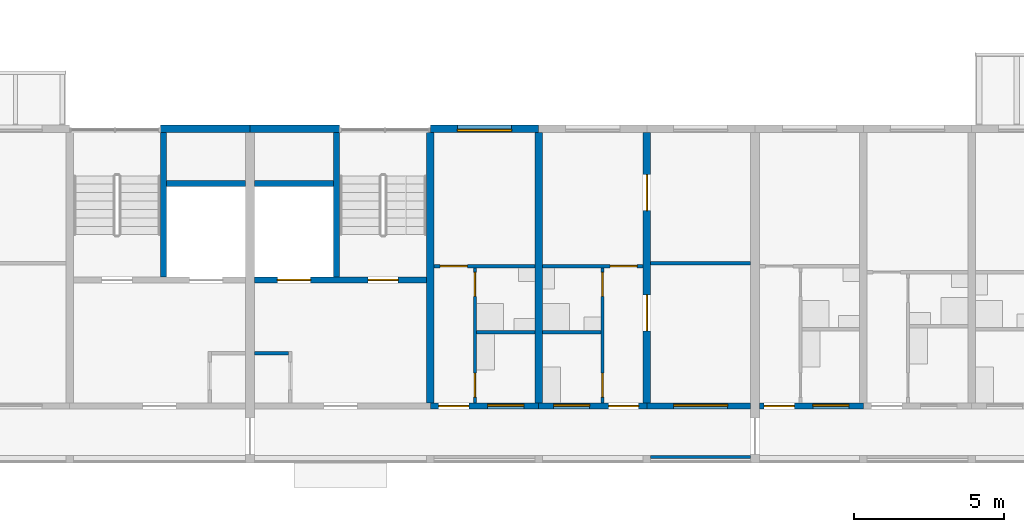
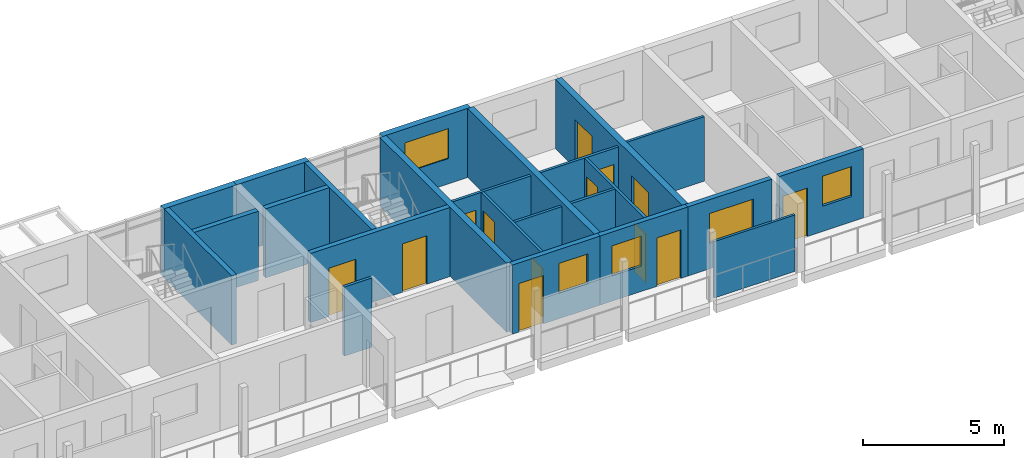
# One storey, part 48 of 100: 24 walls, 13 doors, 5 windows, 18 openings.
"""IFC4 building model written with IfcOpenShell, lengths in metres."""

import ifcopenshell
import ifcopenshell.guid

model = None  # the IFC model being written
_history = None  # IfcOwnerHistory: only IFC2X3 demands one
_inside = {}  # id of a spatial element -> (the spatial element, [elements in it])
_under = {}  # id of a project, library or spatial element -> (it, [spatial elements below it])
_declared = {}  # id of a project -> (the project, [libraries it declares])
_typed = {}  # id of a type object -> (the type object, [elements of that type])
_made_of = {}  # id of a material, layer set ... -> (it, [elements and type objects made of it])


def new_model(schema):
    """Start an empty IFC model of exactly this schema.

    Asked for "IFC4X3", IfcOpenShell would pick the latest addendum, in which some entities
    have other attributes; the version numbers below select the first issue.
    IFC2X3 requires an IfcOwnerHistory on every rooted entity: one is made here for all.
    """
    global model, _history
    if schema == "IFC4X3":
        model = ifcopenshell.file(schema_version=(4, 3, 0, 0))
    else:
        model = ifcopenshell.file(schema=schema)
    _inside.clear()
    _under.clear()
    _declared.clear()
    _typed.clear()
    _made_of.clear()
    _history = None
    if model.schema == "IFC2X3":
        org = make("IfcOrganization", Name="unknown")
        user = make(
            "IfcPersonAndOrganization",
            ThePerson=make("IfcPerson", FamilyName="unknown"),
            TheOrganization=org,
        )
        app = make(
            "IfcApplication",
            ApplicationDeveloper=org,
            Version="unknown",
            ApplicationFullName="unknown",
            ApplicationIdentifier="unknown",
        )
        _history = make(
            "IfcOwnerHistory",
            OwningUser=user,
            OwningApplication=app,
            ChangeAction="ADDED",
            CreationDate=0,
        )
    return model


def make(cls, **values):
    """One entity of the class cls with the attributes given. An attribute that is None is left unset."""
    return model.create_entity(
        cls, **{name: value for name, value in values.items() if value is not None}
    )


def rooted(cls, **values):
    """An entity with a GlobalId (a new one), such as an element, a storey or a relation."""
    return make(cls, GlobalId=ifcopenshell.guid.new(), OwnerHistory=_history, **values)


def si_unit(unit_type, name, prefix=None):
    """IfcSIUnit, for example si_unit("LENGTHUNIT", "METRE", prefix="MILLI")."""
    return make("IfcSIUnit", UnitType=unit_type, Prefix=prefix, Name=name)


def assignment(units):
    """IfcUnitAssignment: the units of a project."""
    return None if units is None else make("IfcUnitAssignment", Units=units)


def point(xyz):
    """IfcCartesianPoint."""
    return None if xyz is None else make("IfcCartesianPoint", Coordinates=xyz)


def direction(xyz):
    """IfcDirection."""
    return None if xyz is None else make("IfcDirection", DirectionRatios=xyz)


def frame(location, z_axis=None, x_axis=None):
    """IfcAxis2Placement3D, a coordinate frame: its origin and axes. An axis left out is left unset."""
    return make(
        "IfcAxis2Placement3D",
        Location=point(location),
        Axis=direction(z_axis),
        RefDirection=direction(x_axis),
    )


def frame_2d(location, x_axis=None):
    """IfcAxis2Placement2D, a coordinate frame in the plane: its origin and x axis."""
    return make(
        "IfcAxis2Placement2D", Location=point(location), RefDirection=direction(x_axis)
    )


def origin():
    """The frame at (0, 0, 0) with its axes left unset."""
    return frame((0.0, 0.0, 0.0))


def place(relative_to, where):
    """IfcLocalPlacement: puts the frame where relative to a parent placement (None: the world)."""
    return make(
        "IfcLocalPlacement", PlacementRelTo=relative_to, RelativePlacement=where
    )


def context(
    kind, dimensions, precision=None, world=None, true_north=None, identifier=None
):
    """IfcGeometricRepresentationContext, for example the 3D "Model" context."""
    return make(
        "IfcGeometricRepresentationContext",
        ContextIdentifier=identifier,
        ContextType=kind,
        CoordinateSpaceDimension=dimensions,
        Precision=precision,
        WorldCoordinateSystem=world,
        TrueNorth=true_north,
    )


def subcontext(parent, identifier, kind, view, scale=None):
    """IfcGeometricRepresentationSubContext, for example "Body" below "Model"."""
    return make(
        "IfcGeometricRepresentationSubContext",
        ContextIdentifier=identifier,
        ContextType=kind,
        ParentContext=parent,
        TargetScale=scale,
        TargetView=view,
    )


def project(units=None, contexts=None):
    """IfcProject with its units and contexts."""
    return rooted(
        "IfcProject",
        Name="project",
        RepresentationContexts=contexts,
        UnitsInContext=assignment(units),
    )


def spatial(cls, under=None, at=None, **own):
    """A site, building, storey or space (cls), placed at a placement, below another one or the project."""
    s = rooted(cls, ObjectPlacement=at, **own)
    if under is not None:
        _under.setdefault(under.id(), (under, []))[1].append(s)
    return s


def profile(cls, at=None, kind="AREA", **sizes):
    """A parametric profile (cls). Its sizes go by their IFC names, for example OverallWidth=200.0."""
    return make(cls, ProfileType=kind, Position=at, **sizes)


def rectangle(**sizes):
    """IfcRectangleProfileDef."""
    return profile("IfcRectangleProfileDef", **sizes)


def extrude(swept, where, along, depth):
    """IfcExtrudedAreaSolid: the profile swept, set in the frame where, extruded along a direction by depth."""
    return make(
        "IfcExtrudedAreaSolid",
        SweptArea=swept,
        Position=where,
        ExtrudedDirection=direction(along),
        Depth=depth,
    )


def shape(context_of_items, identifier, shape_type, items):
    """IfcShapeRepresentation: the items that make up one representation, for example the "Body"."""
    return make(
        "IfcShapeRepresentation",
        ContextOfItems=context_of_items,
        RepresentationIdentifier=identifier,
        RepresentationType=shape_type,
        Items=items,
    )


def material(Name=None, Category=None):
    """IfcMaterial."""
    return make("IfcMaterial", Name=Name, Category=Category)


def layer(
    of_material, thickness, ventilated=None, Name=None, Category=None, Priority=None
):
    """IfcMaterialLayer: one layer of a wall or slab, of a material (None: an air gap)."""
    return make(
        "IfcMaterialLayer",
        Material=of_material,
        LayerThickness=thickness,
        IsVentilated=ventilated,
        Name=Name,
        Category=Category,
        Priority=Priority,
    )


def layer_set(layers, Name=None):
    """IfcMaterialLayerSet."""
    return make("IfcMaterialLayerSet", MaterialLayers=layers, LayerSetName=Name)


def made_of(thing, what):
    """Note that an element or type object is made of a material, layer set ...; save() writes the relation."""
    if what is not None:
        _made_of.setdefault(what.id(), (what, []))[1].append(thing)
    return thing


def type_object(cls, material=None, **own):
    """A type object (cls), such as IfcWallType, which elements share."""
    return made_of(rooted(cls, **own), material)


def element(
    cls,
    number,
    at=None,
    inside=None,
    cuts=None,
    type_object=None,
    material=None,
    context=None,
    identifier="Body",
    shape_type=None,
    held_by="IfcProductDefinitionShape",
    body=None,
    shapes=None,
    **own,
):
    """One element of the class cls, such as IfcWall. Its Tag is "e" and its number.

    at: its placement. inside: the storey or other place that contains it. cuts: it is an
    opening in that element (IfcRelVoidsElement). A single representation is given by context,
    identifier, shape_type and body (its items); several are given by shapes. held_by: the class
    of the entity that holds the representations. save() writes the other relations.
    """
    e = rooted(cls, Tag="e%d" % number, ObjectPlacement=at, **own)
    if body is not None:
        shapes = [shape(context, identifier, shape_type, body)]
    if shapes is not None:
        e.Representation = make(held_by, Representations=shapes)
    if inside is not None:
        _inside.setdefault(inside.id(), (inside, []))[1].append(e)
    if cuts is not None:
        rooted(
            "IfcRelVoidsElement", RelatingBuildingElement=cuts, RelatedOpeningElement=e
        )
    if type_object is not None:
        _typed.setdefault(type_object.id(), (type_object, []))[1].append(e)
    return made_of(e, material)


def fill(opening, filler):
    """IfcRelFillsElement: the door or window that sits in an opening."""
    return rooted(
        "IfcRelFillsElement",
        RelatingOpeningElement=opening,
        RelatedBuildingElement=filler,
    )


def aggregate(whole, parts):
    """IfcRelAggregates: a whole, such as a stair, and the parts it consists of."""
    return rooted("IfcRelAggregates", RelatingObject=whole, RelatedObjects=parts)


def save(model, path):
    """Write the relations noted so far, then the file.

    IfcRelAggregates (storeys below a building ...), IfcRelContainedInSpatialStructure (elements
    in a storey), IfcRelDefinesByType, IfcRelAssociatesMaterial and IfcRelDeclares: one each for
    every whole, place, type object, material and project.
    """
    for whole, parts in _under.values():
        aggregate(whole, parts)
    for where, things in _inside.values():
        rooted(
            "IfcRelContainedInSpatialStructure",
            RelatedElements=things,
            RelatingStructure=where,
        )
    for kind, things in _typed.values():
        rooted("IfcRelDefinesByType", RelatedObjects=things, RelatingType=kind)
    for what, things in _made_of.values():
        rooted("IfcRelAssociatesMaterial", RelatedObjects=things, RelatingMaterial=what)
    for by, libraries in _declared.values():
        rooted("IfcRelDeclares", RelatingContext=by, RelatedDefinitions=libraries)
    model.write(path)


model = new_model("IFC4")

# Units and contexts
model_context = context("Model", 3, precision=1e-05, world=origin(), true_north=direction((0.0, 1.0)))
body_context = subcontext(model_context, "Body", "Model", "MODEL_VIEW")
ifc_project = project(units=[si_unit("LENGTHUNIT", "METRE"), si_unit("AREAUNIT", "SQUARE_METRE"), si_unit("VOLUMEUNIT", "CUBIC_METRE"), si_unit("PLANEANGLEUNIT", "RADIAN"), si_unit("MASSUNIT", "GRAM", prefix="KILO")], contexts=[model_context])

# Site, building, storey
site_placement = place(None, origin())
site = spatial("IfcSite", under=ifc_project, at=site_placement, CompositionType="ELEMENT")
building_placement = place(site_placement, origin())
building = spatial("IfcBuilding", under=site, at=building_placement, Name="Ridgestep Commons", CompositionType="ELEMENT")
storey_placement = place(building_placement, frame((0.0, 0.0, 9.0)))
storey = spatial("IfcBuildingStorey", under=building, at=storey_placement, Name="L03", CompositionType="ELEMENT", Elevation=9.0)

# Walls
ifc_material_1 = material(Name="Concrete C30/37", Category="concrete")
ifc_layer_1 = layer(ifc_material_1, 0.25)
ifc_layer_set_1 = layer_set([ifc_layer_1], Name="Core cross wall 250")
wall_type_1 = type_object("IfcWallType", Name="Core cross wall 250", PredefinedType="SHEAR", material=ifc_layer_set_1)
wall_1_placement = place(storey_placement, frame((169.60009765625, 13.75, 0.0), z_axis=(0.0, 0.0, 1.0), x_axis=(0.0, 1.0, 0.0)))
element("IfcWall", 1, at=wall_1_placement, inside=storey, type_object=wall_type_1, Name="Cross wall D-03-1696", PredefinedType="SHEAR", context=body_context, shape_type="SweptSolid", body=[
    extrude(rectangle(XDim=9.0, YDim=0.25, at=frame_2d((4.5, 0.0))), origin(), (0.0, 0.0, 1.0), 3.0),
])
ifc_material_2 = material(Name="Concrete C30/37", Category="concrete")
ifc_layer_2 = layer(ifc_material_2, 0.1201171875)
ifc_layer_set_2 = layer_set([ifc_layer_2], Name="Core wall 120")
wall_type_2 = type_object("IfcWallType", Name="Core wall 120", PredefinedType="SHEAR", material=ifc_layer_set_2)
wall_2_placement = place(storey_placement, frame((163.75, 15.409912109375, 0.0), z_axis=(0.0, 0.0, 1.0), x_axis=(1.0, 0.0, 0.0)))
element("IfcWall", 2, at=wall_2_placement, inside=storey, type_object=wall_type_2, Name="Core riser n wall D2C L03", PredefinedType="SHEAR", context=body_context, shape_type="SweptSolid", body=[
    extrude(rectangle(XDim=1.1298828125, YDim=0.1201171875, at=frame_2d((0.56494140625, 0.0))), origin(), (0.0, 0.0, 1.0), 3.0),
])
ifc_material_3 = material(Name="Concrete C30/37", Category="concrete")
ifc_layer_3 = layer(ifc_material_3, 0.199951171875)
ifc_layer_set_3 = layer_set([ifc_layer_3], Name="Core wall 200")
wall_type_3 = type_object("IfcWallType", Name="Core wall 200", PredefinedType="SHEAR", material=ifc_layer_set_3)
wall_3_placement = place(storey_placement, frame((160.72509765625, 17.949951171875, 0.0), z_axis=(0.0, 0.0, 1.0), x_axis=(0.0, 1.0, 0.0)))
element("IfcWall", 3, at=wall_3_placement, inside=storey, type_object=wall_type_3, Name="Core stair wall D1C L03", PredefinedType="SHEAR", context=body_context, shape_type="SweptSolid", body=[
    extrude(rectangle(XDim=4.800048828125, YDim=0.199951171875, at=frame_2d((2.39990234375, 0.0))), origin(), (0.0, 0.0, 1.0), 3.0),
])
wall_4_placement = place(storey_placement, frame((160.824951171875, 21.050048828125, 0.0), z_axis=(0.0, 0.0, 1.0), x_axis=(1.0, 0.0, 0.0)))
element("IfcWall", 4, at=wall_4_placement, inside=storey, type_object=wall_type_3, Name="Core duct wall D1C L03", PredefinedType="SHEAR", context=body_context, shape_type="SweptSolid", body=[
    extrude(rectangle(XDim=2.625, YDim=0.199951171875, at=frame_2d((1.3125, 0.0))), origin(), (0.0, 0.0, 1.0), 3.0),
])

# Wall, openings, doors
wall_5_placement = place(storey_placement, frame((163.75, 17.85009765625, 0.0), z_axis=(0.0, 0.0, 1.0), x_axis=(1.0, 0.0, 0.0)))
wall_5 = element("IfcWall", 5, at=wall_5_placement, inside=storey, type_object=wall_type_3, Name="Core lobby wall D2C L03", PredefinedType="SHEAR", context=body_context, shape_type="SweptSolid", body=[
    extrude(rectangle(XDim=5.72509765625, YDim=0.199951171875, at=frame_2d((2.862548828125, 0.0))), origin(), (0.0, 0.0, 1.0), 3.0),
])
opening_1_placement = place(wall_5_placement, frame((3.77490234375, 0.0, 0.0)))
opening_1 = element("IfcOpeningElement", 6, at=opening_1_placement, cuts=wall_5, Name="Opening D2C/03/2", PredefinedType="OPENING", context=body_context, shape_type="SweptSolid", body=[
    extrude(rectangle(XDim=1.0, YDim=2.10009765625, at=frame_2d((0.5, 1.050048828125))), frame((0.0, 0.10986328125, 0.0), z_axis=(0.0, -1.0, 0.0), x_axis=(1.0, 0.0, 0.0)), (0.0, 0.0, 1.0), 0.219970703125),
])
opening_2_placement = place(wall_5_placement, frame((0.762451171875, 0.0, 0.0)))
opening_2 = element("IfcOpeningElement", 7, at=opening_2_placement, cuts=wall_5, Name="Opening D2C/03/3", PredefinedType="OPENING", context=body_context, shape_type="SweptSolid", body=[
    extrude(rectangle(XDim=1.10009765625, YDim=2.10009765625, at=frame_2d((0.550048828125, 1.050048828125))), frame((0.0, 0.10986328125, 0.0), z_axis=(0.0, -1.0, 0.0), x_axis=(1.0, 0.0, 0.0)), (0.0, 0.0, 1.0), 0.219970703125),
])
ifc_material_4 = material(Name="Stainless steel", Category="steel")
door_type_1 = type_object("IfcDoorType", Name="Lift landing door 1100 x 2100 FD60", OperationType="DOUBLE_DOOR_SLIDING", PredefinedType="DOOR", material=ifc_material_4)
door_1_placement = place(opening_2_placement, origin())
door_1 = element("IfcDoor", 8, at=door_1_placement, inside=storey, type_object=door_type_1, Name="Landing door LD D2C L03", OperationType="DOUBLE_DOOR_SLIDING", OverallHeight=2.10009765625, OverallWidth=1.10009765625, PredefinedType="DOOR", context=body_context, shape_type="SweptSolid", body=[
    extrude(rectangle(XDim=1.10009765625, YDim=2.10009765625, at=frame_2d((0.550048828125, 1.050048828125))), frame((0.0, 0.02490234375, 0.0), z_axis=(0.0, -1.0, 0.0), x_axis=(1.0, 0.0, 0.0)), (0.0, 0.0, 1.0), 0.050048828125),
])
fill(opening_2, door_1)
ifc_material_5 = material(Name="Steel fire door", Category="steel")
door_type_2 = type_object("IfcDoorType", Name="Stair door 1000 x 2100 FD60", OperationType="NOTDEFINED", PredefinedType="DOOR", material=ifc_material_5)
door_2_placement = place(opening_1_placement, origin())
door_2 = element("IfcDoor", 9, at=door_2_placement, inside=storey, type_object=door_type_2, Name="Stair door D2C/03/2", OperationType="SINGLE_SWING_RIGHT", OverallHeight=2.10009765625, OverallWidth=1.0, PredefinedType="DOOR", context=body_context, shape_type="SweptSolid", body=[
    extrude(rectangle(XDim=1.0, YDim=2.10009765625, at=frame_2d((0.5, 1.050048828125))), frame((0.0, 0.02490234375, 0.0), z_axis=(0.0, -1.0, 0.0), x_axis=(1.0, 0.0, 0.0)), (0.0, 0.0, 1.0), 0.050048828125),
])
fill(opening_1, door_2)

# Walls
wall_6_placement = place(storey_placement, frame((166.47509765625, 17.949951171875, 0.0), z_axis=(0.0, 0.0, 1.0), x_axis=(0.0, 1.0, 0.0)))
element("IfcWall", 10, at=wall_6_placement, inside=storey, type_object=wall_type_3, Name="Core stair wall D2C L03", PredefinedType="SHEAR", context=body_context, shape_type="SweptSolid", body=[
    extrude(rectangle(XDim=4.800048828125, YDim=0.199951171875, at=frame_2d((2.39990234375, 0.0))), origin(), (0.0, 0.0, 1.0), 3.0),
])
wall_7_placement = place(storey_placement, frame((163.75, 21.050048828125, 0.0), z_axis=(0.0, 0.0, 1.0), x_axis=(1.0, 0.0, 0.0)))
element("IfcWall", 11, at=wall_7_placement, inside=storey, type_object=wall_type_3, Name="Core duct wall D2C L03", PredefinedType="SHEAR", context=body_context, shape_type="SweptSolid", body=[
    extrude(rectangle(XDim=2.625, YDim=0.199951171875, at=frame_2d((1.3125, 0.0))), origin(), (0.0, 0.0, 1.0), 3.0),
])
ifc_material_6 = material(Name="Precast concrete C40/50", Category="concrete")
ifc_layer_4 = layer(ifc_material_6, 0.25)
ifc_layer_set_4 = layer_set([ifc_layer_4], Name="Cross wall 250")
wall_type_4 = type_object("IfcWallType", Name="Cross wall 250", PredefinedType="SHEAR", material=ifc_layer_set_4)
wall_8_placement = place(storey_placement, frame((173.199951171875, 13.75, 0.0), z_axis=(0.0, 0.0, 1.0), x_axis=(0.0, 1.0, 0.0)))
element("IfcWall", 12, at=wall_8_placement, inside=storey, type_object=wall_type_4, Name="Cross wall D-03-1732", PredefinedType="SHEAR", context=body_context, shape_type="SweptSolid", body=[
    extrude(rectangle(XDim=9.0, YDim=0.25, at=frame_2d((4.5, 0.0))), origin(), (0.0, 0.0, 1.0), 3.0),
])

# Wall, openings, doors
wall_9_placement = place(storey_placement, frame((176.800048828125, 13.75, 0.0), z_axis=(0.0, 0.0, 1.0), x_axis=(0.0, 1.0, 0.0)))
wall_9 = element("IfcWall", 13, at=wall_9_placement, inside=storey, type_object=wall_type_4, Name="Cross wall D-03-1768", PredefinedType="SHEAR", context=body_context, shape_type="SweptSolid", body=[
    extrude(rectangle(XDim=9.0, YDim=0.25, at=frame_2d((4.5, 0.0))), origin(), (0.0, 0.0, 1.0), 3.0),
])
opening_3_placement = place(wall_9_placement, frame((2.39990234375, 0.0, 0.0)))
opening_3 = element("IfcOpeningElement", 14, at=opening_3_placement, cuts=wall_9, Name="Opening D2-03a/5", PredefinedType="OPENING", context=body_context, shape_type="SweptSolid", body=[
    extrude(rectangle(XDim=1.199951171875, YDim=2.10009765625, at=frame_2d((0.60009765625, 1.050048828125))), frame((0.0, 0.135009765625, 0.0), z_axis=(0.0, -1.0, 0.0), x_axis=(1.0, 0.0, 0.0)), (0.0, 0.0, 1.0), 0.27001953125),
])
opening_4_placement = place(wall_9_placement, frame((6.39990234375, 0.0, 0.0)))
opening_4 = element("IfcOpeningElement", 15, at=opening_4_placement, cuts=wall_9, Name="Opening D2-03a/6", PredefinedType="OPENING", context=body_context, shape_type="SweptSolid", body=[
    extrude(rectangle(XDim=1.199951171875, YDim=2.10009765625, at=frame_2d((0.60009765625, 1.050048828125))), frame((0.0, 0.135009765625, 0.0), z_axis=(0.0, -1.0, 0.0), x_axis=(1.0, 0.0, 0.0)), (0.0, 0.0, 1.0), 0.27001953125),
])
ifc_material_7 = material(Name="Timber door leaf", Category="wood")
door_type_3 = type_object("IfcDoorType", Name="Double door 1200 x 2100", OperationType="DOUBLE_DOOR_SINGLE_SWING", PredefinedType="DOOR", material=ifc_material_7)
door_3_placement = place(opening_3_placement, origin())
door_3 = element("IfcDoor", 16, at=door_3_placement, inside=storey, type_object=door_type_3, Name="Double door D2-03a/5", OperationType="DOUBLE_DOOR_SINGLE_SWING", OverallHeight=2.10009765625, OverallWidth=1.199951171875, PredefinedType="DOOR", context=body_context, shape_type="SweptSolid", body=[
    extrude(rectangle(XDim=1.199951171875, YDim=2.10009765625, at=frame_2d((0.60009765625, 1.050048828125))), frame((0.0, 0.02490234375, 0.0), z_axis=(0.0, -1.0, 0.0), x_axis=(1.0, 0.0, 0.0)), (0.0, 0.0, 1.0), 0.050048828125),
])
fill(opening_3, door_3)
door_4_placement = place(opening_4_placement, origin())
door_4 = element("IfcDoor", 17, at=door_4_placement, inside=storey, type_object=door_type_3, Name="Double door D2-03a/6", OperationType="DOUBLE_DOOR_SINGLE_SWING", OverallHeight=2.10009765625, OverallWidth=1.199951171875, PredefinedType="DOOR", context=body_context, shape_type="SweptSolid", body=[
    extrude(rectangle(XDim=1.199951171875, YDim=2.10009765625, at=frame_2d((0.60009765625, 1.050048828125))), frame((0.0, 0.02490234375, 0.0), z_axis=(0.0, -1.0, 0.0), x_axis=(1.0, 0.0, 0.0)), (0.0, 0.0, 1.0), 0.050048828125),
])
fill(opening_4, door_4)

# Walls
ifc_material_8 = material(Name="Precast concrete C40/50", Category="concrete")
ifc_layer_5 = layer(ifc_material_8, 0.25)
ifc_layer_set_5 = layer_set([ifc_layer_5], Name="North facade panel 250")
wall_type_5 = type_object("IfcWallType", Name="North facade panel 250", PredefinedType="SOLIDWALL", material=ifc_layer_set_5)
wall_10_placement = place(storey_placement, frame((160.625, 22.875, 0.0), z_axis=(0.0, 0.0, 1.0), x_axis=(1.0, 0.0, 0.0)))
element("IfcWall", 18, at=wall_10_placement, inside=storey, type_object=wall_type_5, Name="North panel D1C L03", PredefinedType="SOLIDWALL", context=body_context, shape_type="SweptSolid", body=[
    extrude(rectangle(XDim=2.97509765625, YDim=0.25, at=frame_2d((1.487548828125, 0.0))), origin(), (0.0, 0.0, 1.0), 3.0),
])
wall_11_placement = place(storey_placement, frame((163.60009765625, 22.875, 0.0), z_axis=(0.0, 0.0, 1.0), x_axis=(1.0, 0.0, 0.0)))
element("IfcWall", 19, at=wall_11_placement, inside=storey, type_object=wall_type_5, Name="North panel D2C L03", PredefinedType="SOLIDWALL", context=body_context, shape_type="SweptSolid", body=[
    extrude(rectangle(XDim=2.974853515625, YDim=0.25, at=frame_2d((1.4873046875, 0.0))), origin(), (0.0, 0.0, 1.0), 3.0),
])

# Wall, opening, window
wall_12_placement = place(storey_placement, frame((169.60009765625, 22.875, 0.0), z_axis=(0.0, 0.0, 1.0), x_axis=(1.0, 0.0, 0.0)))
wall_12 = element("IfcWall", 20, at=wall_12_placement, inside=storey, type_object=wall_type_5, Name="North panel D2T3 L03", PredefinedType="SOLIDWALL", context=body_context, shape_type="SweptSolid", body=[
    extrude(rectangle(XDim=3.599853515625, YDim=0.25, at=frame_2d((1.7998046875, 0.0))), origin(), (0.0, 0.0, 1.0), 3.0),
])
opening_5_placement = place(wall_12_placement, frame((0.89990234375, 0.0, 1.10009765625)))
opening_5 = element("IfcOpeningElement", 21, at=opening_5_placement, cuts=wall_12, Name="Opening W18", PredefinedType="OPENING", context=body_context, shape_type="SweptSolid", body=[
    extrude(rectangle(XDim=1.800048828125, YDim=1.300048828125, at=frame_2d((0.89990234375, 0.64990234375))), frame((0.0, 0.135009765625, 0.0), z_axis=(0.0, -1.0, 0.0), x_axis=(1.0, 0.0, 0.0)), (0.0, 0.0, 1.0), 0.27001953125),
])
ifc_material_9 = material(Name="Aluminium 6063-T6 and glass", Category="aluminium")
window_type_1 = type_object("IfcWindowType", Name="Flat window 1800 x 1300", PartitioningType="DOUBLE_PANEL_VERTICAL", PredefinedType="WINDOW", material=ifc_material_9)
window_1_placement = place(opening_5_placement, origin())
window_1 = element("IfcWindow", 22, at=window_1_placement, inside=storey, type_object=window_type_1, Name="Window D2-03b 2", OverallHeight=1.300048828125, OverallWidth=1.800048828125, PartitioningType="SINGLE_PANEL", PredefinedType="WINDOW", context=body_context, shape_type="SweptSolid", body=[
    extrude(rectangle(XDim=1.800048828125, YDim=1.300048828125, at=frame_2d((0.89990234375, 0.64990234375))), frame((0.0, -0.02490234375, 0.0), z_axis=(0.0, -1.0, 0.0), x_axis=(1.0, 0.0, 0.0)), (0.0, 0.0, 1.0), 0.06005859375),
])
fill(opening_5, window_1)

# Wall
ifc_material_10 = material(Name="Common brick 110 mm", Category="masonry")
ifc_layer_6 = layer(ifc_material_10, 0.110107421875)
ifc_layer_set_6 = layer_set([ifc_layer_6], Name="Partition 110")
wall_type_6 = type_object("IfcWallType", Name="Partition 110", PredefinedType="PARTITIONING", material=ifc_layer_set_6)
wall_13_placement = place(storey_placement, frame((173.324951171875, 16.10498046875, 0.0), z_axis=(0.0, 0.0, 1.0), x_axis=(1.0, 0.0, 0.0)))
element("IfcWall", 23, at=wall_13_placement, inside=storey, type_object=wall_type_6, Name="Partition D2-03a", PredefinedType="PARTITIONING", context=body_context, shape_type="SweptSolid", body=[
    extrude(rectangle(XDim=1.93994140625, YDim=0.110107421875, at=frame_2d((0.969970703125, 0.0))), origin(), (0.0, 0.0, 1.0), 2.800048828125),
])

# Wall, openings, doors
wall_14_placement = place(storey_placement, frame((175.320068359375, 13.75, 0.0), z_axis=(0.0, 0.0, 1.0), x_axis=(0.0, 1.0, 0.0)))
wall_14 = element("IfcWall", 24, at=wall_14_placement, inside=storey, type_object=wall_type_6, Name="Partition D2-03a", PredefinedType="PARTITIONING", context=body_context, shape_type="SweptSolid", body=[
    extrude(rectangle(XDim=4.5, YDim=0.110107421875, at=frame_2d((2.25, 0.0))), origin(), (0.0, 0.0, 1.0), 2.800048828125),
])
opening_6_placement = place(wall_14_placement, frame((0.199951171875, 0.0, 0.0)))
opening_6 = element("IfcOpeningElement", 25, at=opening_6_placement, cuts=wall_14, Name="Opening D2-03a/2", PredefinedType="OPENING", context=body_context, shape_type="SweptSolid", body=[
    extrude(rectangle(XDim=0.800048828125, YDim=2.10009765625, at=frame_2d((0.39990234375, 1.050048828125))), frame((0.0, 0.06494140625, 0.0), z_axis=(0.0, -1.0, 0.0), x_axis=(1.0, 0.0, 0.0)), (0.0, 0.0, 1.0), 0.130126953125),
])
opening_7_placement = place(wall_14_placement, frame((3.550048828125, 0.0, 0.0)))
opening_7 = element("IfcOpeningElement", 26, at=opening_7_placement, cuts=wall_14, Name="Opening D2-03a/3", PredefinedType="OPENING", context=body_context, shape_type="SweptSolid", body=[
    extrude(rectangle(XDim=0.800048828125, YDim=2.10009765625, at=frame_2d((0.39990234375, 1.050048828125))), frame((0.0, 0.06494140625, 0.0), z_axis=(0.0, -1.0, 0.0), x_axis=(1.0, 0.0, 0.0)), (0.0, 0.0, 1.0), 0.130126953125),
])
ifc_material_11 = material(Name="Timber door leaf", Category="wood")
door_type_4 = type_object("IfcDoorType", Name="Internal door 800 x 2100", OperationType="NOTDEFINED", PredefinedType="DOOR", material=ifc_material_11)
door_5_placement = place(opening_6_placement, origin())
door_5 = element("IfcDoor", 27, at=door_5_placement, inside=storey, type_object=door_type_4, Name="Internal door D2-03a/2", OperationType="SINGLE_SWING_LEFT", OverallHeight=2.10009765625, OverallWidth=0.800048828125, PredefinedType="DOOR", context=body_context, shape_type="SweptSolid", body=[
    extrude(rectangle(XDim=0.800048828125, YDim=2.10009765625, at=frame_2d((0.39990234375, 1.050048828125))), frame((0.0, 0.02490234375, 0.0), z_axis=(0.0, -1.0, 0.0), x_axis=(1.0, 0.0, 0.0)), (0.0, 0.0, 1.0), 0.050048828125),
])
fill(opening_6, door_5)
door_6_placement = place(opening_7_placement, origin())
door_6 = element("IfcDoor", 28, at=door_6_placement, inside=storey, type_object=door_type_4, Name="Internal door D2-03a/3", OperationType="SINGLE_SWING_RIGHT", OverallHeight=2.10009765625, OverallWidth=0.800048828125, PredefinedType="DOOR", context=body_context, shape_type="SweptSolid", body=[
    extrude(rectangle(XDim=0.800048828125, YDim=2.10009765625, at=frame_2d((0.39990234375, 1.050048828125))), frame((0.0, 0.02490234375, 0.0), z_axis=(0.0, -1.0, 0.0), x_axis=(1.0, 0.0, 0.0)), (0.0, 0.0, 1.0), 0.050048828125),
])
fill(opening_7, door_6)

# Wall, opening, door
wall_15_placement = place(storey_placement, frame((173.324951171875, 18.304931640625, 0.0), z_axis=(0.0, 0.0, 1.0), x_axis=(1.0, 0.0, 0.0)))
wall_15 = element("IfcWall", 29, at=wall_15_placement, inside=storey, type_object=wall_type_6, Name="Partition D2-03a", PredefinedType="PARTITIONING", context=body_context, shape_type="SweptSolid", body=[
    extrude(rectangle(XDim=3.35009765625, YDim=0.110107421875, at=frame_2d((1.675048828125, 0.0))), origin(), (0.0, 0.0, 1.0), 2.800048828125),
])
opening_8_placement = place(wall_15_placement, frame((2.25, 0.0, 0.0)))
opening_8 = element("IfcOpeningElement", 30, at=opening_8_placement, cuts=wall_15, Name="Opening D2-03a/4", PredefinedType="OPENING", context=body_context, shape_type="SweptSolid", body=[
    extrude(rectangle(XDim=0.89990234375, YDim=2.10009765625, at=frame_2d((0.449951171875, 1.050048828125))), frame((0.0, 0.06494140625, 0.0), z_axis=(0.0, -1.0, 0.0), x_axis=(1.0, 0.0, 0.0)), (0.0, 0.0, 1.0), 0.130126953125),
])
ifc_material_12 = material(Name="Timber door leaf", Category="wood")
door_type_5 = type_object("IfcDoorType", Name="Internal door 900 x 2100", OperationType="NOTDEFINED", PredefinedType="DOOR", material=ifc_material_12)
door_7_placement = place(opening_8_placement, origin())
door_7 = element("IfcDoor", 31, at=door_7_placement, inside=storey, type_object=door_type_5, Name="Internal door D2-03a/4", OperationType="SINGLE_SWING_LEFT", OverallHeight=2.10009765625, OverallWidth=0.89990234375, PredefinedType="DOOR", context=body_context, shape_type="SweptSolid", body=[
    extrude(rectangle(XDim=0.89990234375, YDim=2.10009765625, at=frame_2d((0.449951171875, 1.050048828125))), frame((0.0, 0.02490234375, 0.0), z_axis=(0.0, -1.0, 0.0), x_axis=(1.0, 0.0, 0.0)), (0.0, 0.0, 1.0), 0.050048828125),
])
fill(opening_8, door_7)

# Wall
wall_16_placement = place(storey_placement, frame((176.925048828125, 18.405029296875, 0.0), z_axis=(0.0, 0.0, 1.0), x_axis=(1.0, 0.0, 0.0)))
element("IfcWall", 32, at=wall_16_placement, inside=storey, type_object=wall_type_6, Name="Partition D2-03a", PredefinedType="PARTITIONING", context=body_context, shape_type="SweptSolid", body=[
    extrude(rectangle(XDim=3.324951171875, YDim=0.110107421875, at=frame_2d((1.66259765625, 0.0))), origin(), (0.0, 0.0, 1.0), 2.800048828125),
])

# Wall, openings, doors
wall_17_placement = place(storey_placement, frame((171.080078125, 13.75, 0.0), z_axis=(0.0, 0.0, 1.0), x_axis=(0.0, 1.0, 0.0)))
wall_17 = element("IfcWall", 33, at=wall_17_placement, inside=storey, type_object=wall_type_6, Name="Partition D2-03b", PredefinedType="PARTITIONING", context=body_context, shape_type="SweptSolid", body=[
    extrude(rectangle(XDim=4.5, YDim=0.110107421875, at=frame_2d((2.25, 0.0))), origin(), (0.0, 0.0, 1.0), 2.800048828125),
])
opening_9_placement = place(wall_17_placement, frame((0.199951171875, 0.0, 0.0)))
opening_9 = element("IfcOpeningElement", 34, at=opening_9_placement, cuts=wall_17, Name="Opening D2-03b/2", PredefinedType="OPENING", context=body_context, shape_type="SweptSolid", body=[
    extrude(rectangle(XDim=0.800048828125, YDim=2.10009765625, at=frame_2d((0.39990234375, 1.050048828125))), frame((0.0, 0.06494140625, 0.0), z_axis=(0.0, -1.0, 0.0), x_axis=(1.0, 0.0, 0.0)), (0.0, 0.0, 1.0), 0.130126953125),
])
opening_10_placement = place(wall_17_placement, frame((3.550048828125, 0.0, 0.0)))
opening_10 = element("IfcOpeningElement", 35, at=opening_10_placement, cuts=wall_17, Name="Opening D2-03b/3", PredefinedType="OPENING", context=body_context, shape_type="SweptSolid", body=[
    extrude(rectangle(XDim=0.800048828125, YDim=2.10009765625, at=frame_2d((0.39990234375, 1.050048828125))), frame((0.0, 0.06494140625, 0.0), z_axis=(0.0, -1.0, 0.0), x_axis=(1.0, 0.0, 0.0)), (0.0, 0.0, 1.0), 0.130126953125),
])
door_8_placement = place(opening_9_placement, origin())
door_8 = element("IfcDoor", 36, at=door_8_placement, inside=storey, type_object=door_type_4, Name="Internal door D2-03b/2", OperationType="SINGLE_SWING_RIGHT", OverallHeight=2.10009765625, OverallWidth=0.800048828125, PredefinedType="DOOR", context=body_context, shape_type="SweptSolid", body=[
    extrude(rectangle(XDim=0.800048828125, YDim=2.10009765625, at=frame_2d((0.39990234375, 1.050048828125))), frame((0.0, 0.02490234375, 0.0), z_axis=(0.0, -1.0, 0.0), x_axis=(1.0, 0.0, 0.0)), (0.0, 0.0, 1.0), 0.050048828125),
])
fill(opening_9, door_8)
door_9_placement = place(opening_10_placement, origin())
door_9 = element("IfcDoor", 37, at=door_9_placement, inside=storey, type_object=door_type_4, Name="Internal door D2-03b/3", OperationType="SINGLE_SWING_LEFT", OverallHeight=2.10009765625, OverallWidth=0.800048828125, PredefinedType="DOOR", context=body_context, shape_type="SweptSolid", body=[
    extrude(rectangle(XDim=0.800048828125, YDim=2.10009765625, at=frame_2d((0.39990234375, 1.050048828125))), frame((0.0, 0.02490234375, 0.0), z_axis=(0.0, -1.0, 0.0), x_axis=(1.0, 0.0, 0.0)), (0.0, 0.0, 1.0), 0.050048828125),
])
fill(opening_10, door_9)

# Wall
wall_18_placement = place(storey_placement, frame((171.135009765625, 16.10498046875, 0.0), z_axis=(0.0, 0.0, 1.0), x_axis=(1.0, 0.0, 0.0)))
element("IfcWall", 38, at=wall_18_placement, inside=storey, type_object=wall_type_6, Name="Partition D2-03b", PredefinedType="PARTITIONING", context=body_context, shape_type="SweptSolid", body=[
    extrude(rectangle(XDim=1.93994140625, YDim=0.110107421875, at=frame_2d((0.969970703125, 0.0))), origin(), (0.0, 0.0, 1.0), 2.800048828125),
])

# Wall, opening, door
wall_19_placement = place(storey_placement, frame((169.72509765625, 18.304931640625, 0.0), z_axis=(0.0, 0.0, 1.0), x_axis=(1.0, 0.0, 0.0)))
wall_19 = element("IfcWall", 39, at=wall_19_placement, inside=storey, type_object=wall_type_6, Name="Partition D2-03b", PredefinedType="PARTITIONING", context=body_context, shape_type="SweptSolid", body=[
    extrude(rectangle(XDim=3.349853515625, YDim=0.110107421875, at=frame_2d((1.6748046875, 0.0))), origin(), (0.0, 0.0, 1.0), 2.800048828125),
])
opening_11_placement = place(wall_19_placement, frame((0.199951171875, 0.0, 0.0)))
opening_11 = element("IfcOpeningElement", 40, at=opening_11_placement, cuts=wall_19, Name="Opening D2-03b/4", PredefinedType="OPENING", context=body_context, shape_type="SweptSolid", body=[
    extrude(rectangle(XDim=0.89990234375, YDim=2.10009765625, at=frame_2d((0.449951171875, 1.050048828125))), frame((0.0, 0.06494140625, 0.0), z_axis=(0.0, -1.0, 0.0), x_axis=(1.0, 0.0, 0.0)), (0.0, 0.0, 1.0), 0.130126953125),
])
door_10_placement = place(opening_11_placement, origin())
door_10 = element("IfcDoor", 41, at=door_10_placement, inside=storey, type_object=door_type_5, Name="Internal door D2-03b/4", OperationType="SINGLE_SWING_LEFT", OverallHeight=2.10009765625, OverallWidth=0.89990234375, PredefinedType="DOOR", context=body_context, shape_type="SweptSolid", body=[
    extrude(rectangle(XDim=0.89990234375, YDim=2.10009765625, at=frame_2d((0.449951171875, 1.050048828125))), frame((0.0, 0.02490234375, 0.0), z_axis=(0.0, -1.0, 0.0), x_axis=(1.0, 0.0, 0.0)), (0.0, 0.0, 1.0), 0.050048828125),
])
fill(opening_11, door_10)

# Wall
ifc_material_13 = material(Name="Precast concrete C30/37", Category="concrete")
ifc_layer_7 = layer(ifc_material_13, 0.10009765625)
ifc_layer_set_7 = layer_set([ifc_layer_7], Name="Perforated gallery screen 3325 x 2450 x 100")
wall_type_7 = type_object("IfcWallType", Name="Perforated gallery screen 3325 x 2450 x 100", PredefinedType="SOLIDWALL", material=ifc_layer_set_7)
wall_20_placement = place(storey_placement, frame((176.925048828125, 11.949951171875, 0.0), z_axis=(0.0, 0.0, 1.0), x_axis=(1.0, 0.0, 0.0)))
element("IfcWall", 42, at=wall_20_placement, inside=storey, type_object=wall_type_7, Name="Gallery screen D2T1 03", PredefinedType="SOLIDWALL", context=body_context, shape_type="SweptSolid", body=[
    extrude(rectangle(XDim=3.324951171875, YDim=0.10009765625, at=frame_2d((1.66259765625, 0.0))), origin(), (0.0, 0.0, 1.0), 2.449951171875),
])

# Wall, openings, door, window
ifc_material_14 = material(Name="Precast concrete C40/50", Category="concrete")
ifc_layer_8 = layer(ifc_material_14, 0.199951171875)
ifc_layer_set_8 = layer_set([ifc_layer_8], Name="South facade panel 200")
wall_type_8 = type_object("IfcWallType", Name="South facade panel 200", PredefinedType="SOLIDWALL", material=ifc_layer_set_8)
wall_21_placement = place(storey_placement, frame((169.60009765625, 13.64990234375, 0.0), z_axis=(0.0, 0.0, 1.0), x_axis=(1.0, 0.0, 0.0)))
wall_21 = element("IfcWall", 43, at=wall_21_placement, inside=storey, type_object=wall_type_8, Name="South panel D2T3 L03", PredefinedType="SOLIDWALL", context=body_context, shape_type="SweptSolid", body=[
    extrude(rectangle(XDim=3.599853515625, YDim=0.199951171875, at=frame_2d((1.7998046875, 0.0))), origin(), (0.0, 0.0, 1.0), 3.0),
])
opening_12_placement = place(wall_21_placement, frame((1.905029296875, 0.0, 1.10009765625)))
opening_12 = element("IfcOpeningElement", 44, at=opening_12_placement, cuts=wall_21, Name="Opening W08", PredefinedType="OPENING", context=body_context, shape_type="SweptSolid", body=[
    extrude(rectangle(XDim=1.199951171875, YDim=1.300048828125, at=frame_2d((0.60009765625, 0.64990234375))), frame((0.0, 0.10986328125, 0.0), z_axis=(0.0, -1.0, 0.0), x_axis=(1.0, 0.0, 0.0)), (0.0, 0.0, 1.0), 0.219970703125),
])
opening_13_placement = place(wall_21_placement, frame((0.27490234375, 0.0, 0.0)))
opening_13 = element("IfcOpeningElement", 45, at=opening_13_placement, cuts=wall_21, Name="Opening D2-03b/1", PredefinedType="OPENING", context=body_context, shape_type="SweptSolid", body=[
    extrude(rectangle(XDim=1.0, YDim=2.10009765625, at=frame_2d((0.5, 1.050048828125))), frame((0.0, 0.10986328125, 0.0), z_axis=(0.0, -1.0, 0.0), x_axis=(1.0, 0.0, 0.0)), (0.0, 0.0, 1.0), 0.219970703125),
])
ifc_material_15 = material(Name="Timber door leaf", Category="wood")
door_type_6 = type_object("IfcDoorType", Name="Flat entrance door 1000 x 2100 FD30S", OperationType="NOTDEFINED", PredefinedType="DOOR", material=ifc_material_15)
door_11_placement = place(opening_13_placement, origin())
door_11 = element("IfcDoor", 46, at=door_11_placement, inside=storey, type_object=door_type_6, Name="Flat entrance door D2-03b/1", OperationType="SINGLE_SWING_LEFT", OverallHeight=2.10009765625, OverallWidth=1.0, PredefinedType="DOOR", context=body_context, shape_type="SweptSolid", body=[
    extrude(rectangle(XDim=1.0, YDim=2.10009765625, at=frame_2d((0.5, 1.050048828125))), frame((0.0, 0.02490234375, 0.0), z_axis=(0.0, -1.0, 0.0), x_axis=(1.0, 0.0, 0.0)), (0.0, 0.0, 1.0), 0.050048828125),
])
fill(opening_13, door_11)
ifc_material_16 = material(Name="Aluminium 6063-T6 and glass", Category="aluminium")
window_type_2 = type_object("IfcWindowType", Name="Flat window 1200 x 1300", PartitioningType="SINGLE_PANEL", PredefinedType="WINDOW", material=ifc_material_16)
window_2_placement = place(opening_12_placement, origin())
window_2 = element("IfcWindow", 47, at=window_2_placement, inside=storey, type_object=window_type_2, Name="Window D2-03b 1", OverallHeight=1.300048828125, OverallWidth=1.199951171875, PartitioningType="SINGLE_PANEL", PredefinedType="WINDOW", context=body_context, shape_type="SweptSolid", body=[
    extrude(rectangle(XDim=1.199951171875, YDim=1.300048828125, at=frame_2d((0.60009765625, 0.64990234375))), frame((0.0, 0.06005859375, 0.0), z_axis=(0.0, -1.0, 0.0), x_axis=(1.0, 0.0, 0.0)), (0.0, 0.0, 1.0), 0.06005859375),
])
fill(opening_12, window_2)

wall_22_placement = place(storey_placement, frame((173.199951171875, 13.64990234375, 0.0), z_axis=(0.0, 0.0, 1.0), x_axis=(1.0, 0.0, 0.0)))
wall_22 = element("IfcWall", 48, at=wall_22_placement, inside=storey, type_object=wall_type_8, Name="South panel D2T2 L03", PredefinedType="SOLIDWALL", context=body_context, shape_type="SweptSolid", body=[
    extrude(rectangle(XDim=3.60009765625, YDim=0.199951171875, at=frame_2d((1.800048828125, 0.0))), origin(), (0.0, 0.0, 1.0), 3.0),
])
opening_14_placement = place(wall_22_placement, frame((0.4951171875, 0.0, 1.10009765625)))
opening_14 = element("IfcOpeningElement", 49, at=opening_14_placement, cuts=wall_22, Name="Opening W08", PredefinedType="OPENING", context=body_context, shape_type="SweptSolid", body=[
    extrude(rectangle(XDim=1.199951171875, YDim=1.300048828125, at=frame_2d((0.60009765625, 0.64990234375))), frame((0.0, 0.10986328125, 0.0), z_axis=(0.0, -1.0, 0.0), x_axis=(1.0, 0.0, 0.0)), (0.0, 0.0, 1.0), 0.219970703125),
])
opening_15_placement = place(wall_22_placement, frame((2.324951171875, 0.0, 0.0)))
opening_15 = element("IfcOpeningElement", 50, at=opening_15_placement, cuts=wall_22, Name="Opening D2-03a/1", PredefinedType="OPENING", context=body_context, shape_type="SweptSolid", body=[
    extrude(rectangle(XDim=1.0, YDim=2.10009765625, at=frame_2d((0.5, 1.050048828125))), frame((0.0, 0.10986328125, 0.0), z_axis=(0.0, -1.0, 0.0), x_axis=(1.0, 0.0, 0.0)), (0.0, 0.0, 1.0), 0.219970703125),
])
door_12_placement = place(opening_15_placement, origin())
door_12 = element("IfcDoor", 51, at=door_12_placement, inside=storey, type_object=door_type_6, Name="Flat entrance door D2-03a/1", OperationType="SINGLE_SWING_RIGHT", OverallHeight=2.10009765625, OverallWidth=1.0, PredefinedType="DOOR", context=body_context, shape_type="SweptSolid", body=[
    extrude(rectangle(XDim=1.0, YDim=2.10009765625, at=frame_2d((0.5, 1.050048828125))), frame((0.0, 0.02490234375, 0.0), z_axis=(0.0, -1.0, 0.0), x_axis=(1.0, 0.0, 0.0)), (0.0, 0.0, 1.0), 0.050048828125),
])
fill(opening_15, door_12)
window_3_placement = place(opening_14_placement, origin())
window_3 = element("IfcWindow", 52, at=window_3_placement, inside=storey, type_object=window_type_2, Name="Window D2-03a 3", OverallHeight=1.300048828125, OverallWidth=1.199951171875, PartitioningType="SINGLE_PANEL", PredefinedType="WINDOW", context=body_context, shape_type="SweptSolid", body=[
    extrude(rectangle(XDim=1.199951171875, YDim=1.300048828125, at=frame_2d((0.60009765625, 0.64990234375))), frame((0.0, 0.06005859375, 0.0), z_axis=(0.0, -1.0, 0.0), x_axis=(1.0, 0.0, 0.0)), (0.0, 0.0, 1.0), 0.06005859375),
])
fill(opening_14, window_3)

# Wall, opening, window
wall_23_placement = place(storey_placement, frame((176.800048828125, 13.64990234375, 0.0), z_axis=(0.0, 0.0, 1.0), x_axis=(1.0, 0.0, 0.0)))
wall_23 = element("IfcWall", 53, at=wall_23_placement, inside=storey, type_object=wall_type_8, Name="South panel D2T1 L03", PredefinedType="SOLIDWALL", context=body_context, shape_type="SweptSolid", body=[
    extrude(rectangle(XDim=3.449951171875, YDim=0.199951171875, at=frame_2d((1.72509765625, 0.0))), origin(), (0.0, 0.0, 1.0), 3.0),
])
opening_16_placement = place(wall_23_placement, frame((0.887451171875, 0.0, 1.10009765625)))
opening_16 = element("IfcOpeningElement", 54, at=opening_16_placement, cuts=wall_23, Name="Opening W18", PredefinedType="OPENING", context=body_context, shape_type="SweptSolid", body=[
    extrude(rectangle(XDim=1.800048828125, YDim=1.300048828125, at=frame_2d((0.89990234375, 0.64990234375))), frame((0.0, 0.10986328125, 0.0), z_axis=(0.0, -1.0, 0.0), x_axis=(1.0, 0.0, 0.0)), (0.0, 0.0, 1.0), 0.219970703125),
])
window_4_placement = place(opening_16_placement, origin())
window_4 = element("IfcWindow", 55, at=window_4_placement, inside=storey, type_object=window_type_1, Name="Window D2-03a 1", OverallHeight=1.300048828125, OverallWidth=1.800048828125, PartitioningType="SINGLE_PANEL", PredefinedType="WINDOW", context=body_context, shape_type="SweptSolid", body=[
    extrude(rectangle(XDim=1.800048828125, YDim=1.300048828125, at=frame_2d((0.89990234375, 0.64990234375))), frame((0.0, 0.06005859375, 0.0), z_axis=(0.0, -1.0, 0.0), x_axis=(1.0, 0.0, 0.0)), (0.0, 0.0, 1.0), 0.06005859375),
])
fill(opening_16, window_4)

# Wall, openings, door, window
wall_24_placement = place(storey_placement, frame((180.550048828125, 13.64990234375, 0.0), z_axis=(0.0, 0.0, 1.0), x_axis=(1.0, 0.0, 0.0)))
wall_24 = element("IfcWall", 56, at=wall_24_placement, inside=storey, type_object=wall_type_8, Name="South panel D3T1 L03", PredefinedType="SOLIDWALL", context=body_context, shape_type="SweptSolid", body=[
    extrude(rectangle(XDim=3.449951171875, YDim=0.199951171875, at=frame_2d((1.72509765625, 0.0))), origin(), (0.0, 0.0, 1.0), 3.0),
])
opening_17_placement = place(wall_24_placement, frame((1.767578125, 0.0, 1.10009765625)))
opening_17 = element("IfcOpeningElement", 57, at=opening_17_placement, cuts=wall_24, Name="Opening W08", PredefinedType="OPENING", context=body_context, shape_type="SweptSolid", body=[
    extrude(rectangle(XDim=1.199951171875, YDim=1.300048828125, at=frame_2d((0.60009765625, 0.64990234375))), frame((0.0, 0.10986328125, 0.0), z_axis=(0.0, -1.0, 0.0), x_axis=(1.0, 0.0, 0.0)), (0.0, 0.0, 1.0), 0.219970703125),
])
opening_18_placement = place(wall_24_placement, frame((0.14990234375, 0.0, 0.0)))
opening_18 = element("IfcOpeningElement", 58, at=opening_18_placement, cuts=wall_24, Name="Opening D3-03a/1", PredefinedType="OPENING", context=body_context, shape_type="SweptSolid", body=[
    extrude(rectangle(XDim=1.0, YDim=2.10009765625, at=frame_2d((0.5, 1.050048828125))), frame((0.0, 0.10986328125, 0.0), z_axis=(0.0, -1.0, 0.0), x_axis=(1.0, 0.0, 0.0)), (0.0, 0.0, 1.0), 0.219970703125),
])
door_13_placement = place(opening_18_placement, origin())
door_13 = element("IfcDoor", 59, at=door_13_placement, inside=storey, type_object=door_type_6, Name="Flat entrance door D3-03a/1", OperationType="SINGLE_SWING_LEFT", OverallHeight=2.10009765625, OverallWidth=1.0, PredefinedType="DOOR", context=body_context, shape_type="SweptSolid", body=[
    extrude(rectangle(XDim=1.0, YDim=2.10009765625, at=frame_2d((0.5, 1.050048828125))), frame((0.0, 0.02490234375, 0.0), z_axis=(0.0, -1.0, 0.0), x_axis=(1.0, 0.0, 0.0)), (0.0, 0.0, 1.0), 0.050048828125),
])
fill(opening_18, door_13)
window_5_placement = place(opening_17_placement, origin())
window_5 = element("IfcWindow", 60, at=window_5_placement, inside=storey, type_object=window_type_2, Name="Window D3-03a 1", OverallHeight=1.300048828125, OverallWidth=1.199951171875, PartitioningType="SINGLE_PANEL", PredefinedType="WINDOW", context=body_context, shape_type="SweptSolid", body=[
    extrude(rectangle(XDim=1.199951171875, YDim=1.300048828125, at=frame_2d((0.60009765625, 0.64990234375))), frame((0.0, 0.06005859375, 0.0), z_axis=(0.0, -1.0, 0.0), x_axis=(1.0, 0.0, 0.0)), (0.0, 0.0, 1.0), 0.06005859375),
])
fill(opening_17, window_5)

save(model, "model.ifc")
